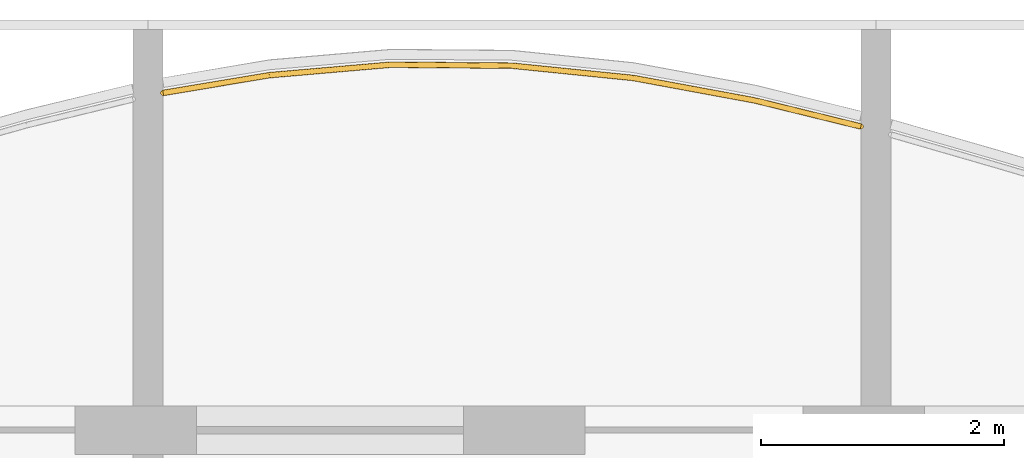
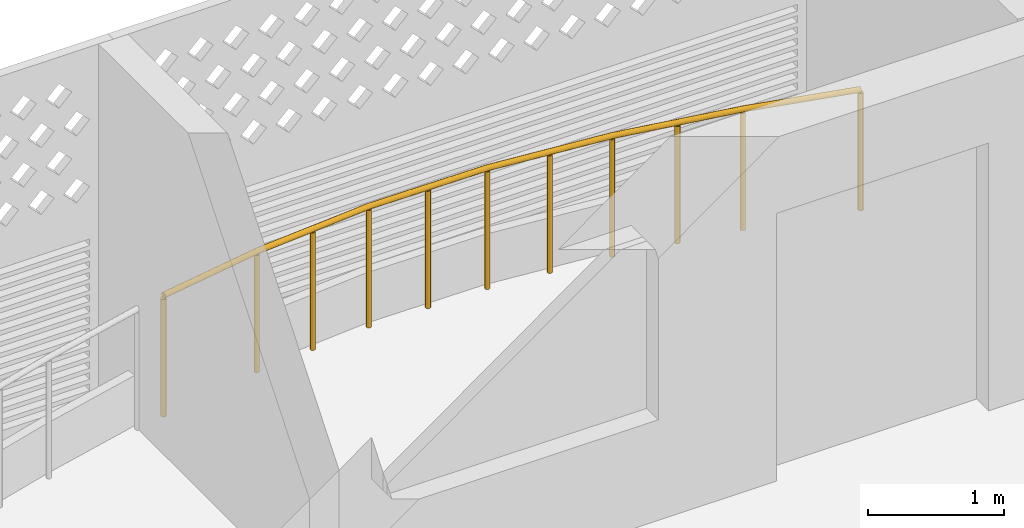
# One storey, part 20 of 29: 1 railing.
"""IFC4 building model written with IfcOpenShell, lengths in metres."""

from ifc_helpers import new_model, si_unit, direction, frame, origin, origin_2d, place, context, subcontext, project, spatial, circle, extrude, material, type_object, element, save


model = new_model("IFC4")

# Units and contexts
model_context = context("Model", 3, precision=1e-05, world=origin(), true_north=direction((0.0, 1.0)))
body_context = subcontext(model_context, "Body", "Model", "MODEL_VIEW")
ifc_project = project(units=[si_unit("LENGTHUNIT", "METRE"), si_unit("AREAUNIT", "SQUARE_METRE"), si_unit("VOLUMEUNIT", "CUBIC_METRE"), si_unit("PLANEANGLEUNIT", "RADIAN"), si_unit("MASSUNIT", "GRAM", prefix="KILO")], contexts=[model_context])

# Site, building, storey
site_placement = place(None, origin())
site = spatial("IfcSite", under=ifc_project, at=site_placement, CompositionType="ELEMENT")
building_placement = place(site_placement, origin())
building = spatial("IfcBuilding", under=site, at=building_placement, Name="Poui Terraces", CompositionType="ELEMENT")
storey_placement = place(building_placement, frame((0.0, 0.0, 237.89990234375)))
storey = spatial("IfcBuildingStorey", under=building, at=storey_placement, Name="L66", CompositionType="ELEMENT", Elevation=237.89990234375)

# Railing
ifc_material = material(Name="Painted steel fretwork", Category="steel")
railing_type = type_object("IfcRailingType", Name="BALCONY GUARD 1100", PredefinedType="GUARDRAIL", material=ifc_material)
railing_placement = place(storey_placement, frame((42.125, 43.97900390625, 0.0)))
element("IfcRailing", 1, at=railing_placement, inside=storey, type_object=railing_type, Name="BALCONY GUARD", PredefinedType="GUARDRAIL", context=body_context, shape_type="SweptSolid", body=[
    extrude(circle(Radius=0.02392578125, at=origin_2d()), frame((0.0, 0.0, 1.076171875), z_axis=(0.986319444302, 0.164845241947, 0.0), x_axis=(-0.164845241947, 0.986319444302, 0.0)), (0.0, 0.0, 1.0), 0.88720703125),
    extrude(circle(Radius=0.02392578125, at=origin_2d()), frame((0.875, 0.146240234375, 1.076171875), z_axis=(0.996286084847, 0.086104803231, 0.0), x_axis=(-0.086104803231, 0.996286084847, 0.0)), (0.0, 0.0, 1.0), 1.003662109375),
    extrude(circle(Radius=0.02392578125, at=origin_2d()), frame((1.875, 0.232666015625, 1.076171875), z_axis=(0.999967546851, -0.008056379162, 0.0), x_axis=(0.008056379162, 0.999967546851, 0.0)), (0.0, 0.0, 1.0), 1.0),
    extrude(circle(Radius=0.02392578125, at=origin_2d()), frame((2.875, 0.224609375, 1.076171875), z_axis=(0.994906476978, -0.100802291979, 0.0), x_axis=(0.100802291979, 0.994906476978, 0.0)), (0.0, 0.0, 1.0), 1.005126953125),
    extrude(circle(Radius=0.02392578125, at=origin_2d()), frame((3.875, 0.123291015625, 1.076171875), z_axis=(0.983347214192, -0.181736777623, 0.0), x_axis=(0.181736777623, 0.983347214192, 0.0)), (0.0, 0.0, 1.0), 1.016845703125),
    extrude(circle(Radius=0.02392578125, at=origin_2d()), frame((4.875, -0.0615234375, 1.076171875), z_axis=(0.971154038522, -0.23845300053, 0.0), x_axis=(0.23845300053, 0.971154038522, 0.0)), (0.0, 0.0, 1.0), 0.90087890625),
    extrude(circle(Radius=0.02099609375, at=origin_2d()), origin(), (0.0, 0.0, 1.0), 1.052001953125),
    extrude(circle(Radius=0.02099609375, at=origin_2d()), frame((0.875, 0.146240234375, 0.0)), (0.0, 0.0, 1.0), 1.052001953125),
    extrude(circle(Radius=0.02099609375, at=origin_2d()), frame((1.375, 0.189453125, 0.0)), (0.0, 0.0, 1.0), 1.052001953125),
    extrude(circle(Radius=0.02099609375, at=origin_2d()), frame((1.875, 0.232666015625, 0.0)), (0.0, 0.0, 1.0), 1.052001953125),
    extrude(circle(Radius=0.02099609375, at=origin_2d()), frame((2.375, 0.228515625, 0.0)), (0.0, 0.0, 1.0), 1.052001953125),
    extrude(circle(Radius=0.02099609375, at=origin_2d()), frame((2.875, 0.224609375, 0.0)), (0.0, 0.0, 1.0), 1.052001953125),
    extrude(circle(Radius=0.02099609375, at=origin_2d()), frame((3.375, 0.173828125, 0.0)), (0.0, 0.0, 1.0), 1.052001953125),
    extrude(circle(Radius=0.02099609375, at=origin_2d()), frame((3.875, 0.123291015625, 0.0)), (0.0, 0.0, 1.0), 1.052001953125),
    extrude(circle(Radius=0.02099609375, at=origin_2d()), frame((4.375, 0.03076171875, 0.0)), (0.0, 0.0, 1.0), 1.052001953125),
    extrude(circle(Radius=0.02099609375, at=origin_2d()), frame((4.875, -0.0615234375, 0.0)), (0.0, 0.0, 1.0), 1.052001953125),
    extrude(circle(Radius=0.02099609375, at=origin_2d()), frame((5.75, -0.2763671875, 0.0)), (0.0, 0.0, 1.0), 1.052001953125),
])

save(model, "model.ifc")
